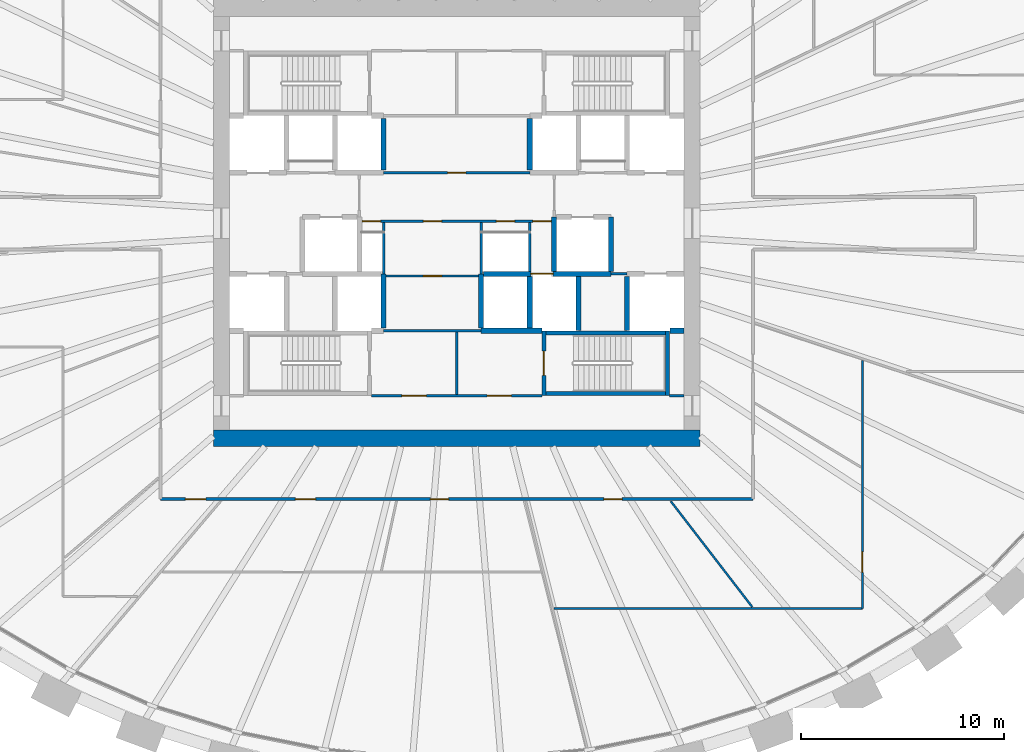
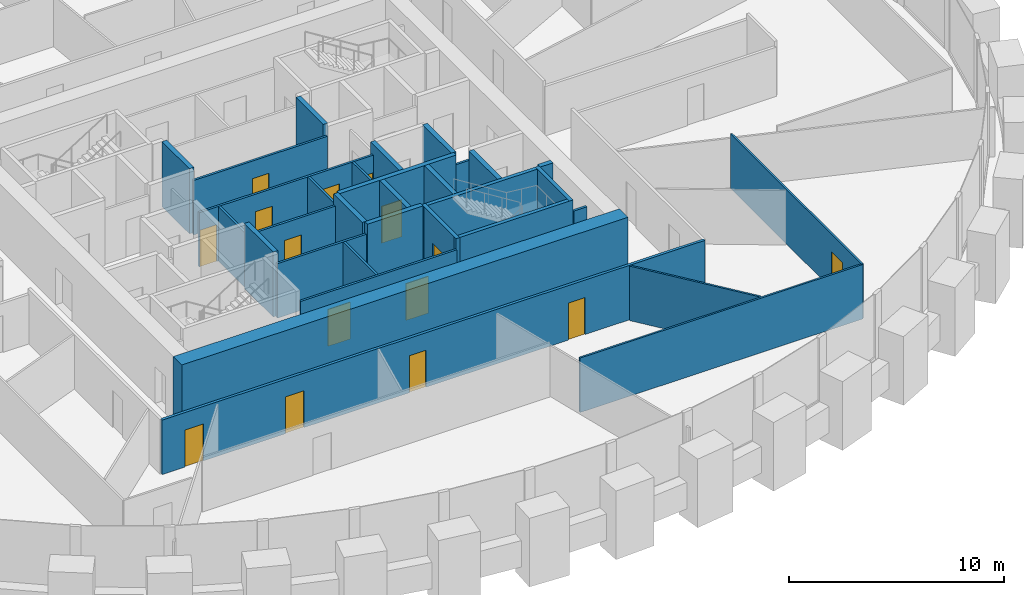
# One storey, part 7 of 11: 32 walls, 15 doors, 15 openings.
"""IFC4 building model written with IfcOpenShell, lengths in metres."""

from ifc_helpers import new_model, si_unit, direction, frame, frame_2d, origin, place, context, subcontext, project, spatial, rectangle, extrude, source, transform, mapped, material, layer, layer_set, type_object, element, fill, save


model = new_model("IFC4")

# Units and contexts
model_context = context("Model", 3, precision=1e-05, world=origin(), true_north=direction((0.0, 1.0)))
body_context = subcontext(model_context, "Body", "Model", "MODEL_VIEW")
ifc_project = project(units=[si_unit("LENGTHUNIT", "METRE"), si_unit("AREAUNIT", "SQUARE_METRE"), si_unit("VOLUMEUNIT", "CUBIC_METRE"), si_unit("PLANEANGLEUNIT", "RADIAN"), si_unit("MASSUNIT", "GRAM", prefix="KILO")], contexts=[model_context])

# Site, building, storey
site_placement = place(None, origin())
site = spatial("IfcSite", under=ifc_project, at=site_placement, CompositionType="ELEMENT")
building_placement = place(site_placement, origin())
building = spatial("IfcBuilding", under=site, at=building_placement, Name="Embergate Tower", CompositionType="ELEMENT")
storey_placement = place(building_placement, frame((0.0, 0.0, 207.300048828125)))
storey = spatial("IfcBuildingStorey", under=building, at=storey_placement, Name="L47", CompositionType="ELEMENT", Elevation=207.300048828125)

# Walls
ifc_material_1 = material(Name="Concrete C70", Category="concrete")
ifc_layer_1 = layer(ifc_material_1, 0.800048828125)
ifc_layer_set_1 = layer_set([ifc_layer_1], Name="Concrete C70")
wall_type_1 = type_object("IfcWallType", Name="Core outer wall C70 800", PredefinedType="SHEAR", material=ifc_layer_set_1)
shared_shape_1 = source(origin(), body_context, "Body", "SweptSolid", [
    extrude(rectangle(XDim=24.0, YDim=0.800048828125, at=frame_2d((12.0, 0.0))), origin(), (0.0, 0.0, 1.0), 3.89990234375),
])
wall_1_placement = place(storey_placement, frame((-12.0, -10.60009765625, -0.199951171875), z_axis=(0.0, 0.0, 1.0), x_axis=(1.0, 0.0, 0.0)))
element("IfcWall", 1, at=wall_1_placement, inside=storey, type_object=wall_type_1, Name="CW-L47-S", PredefinedType="SHEAR", context=body_context, shape_type="MappedRepresentation", body=[
    mapped(shared_shape_1, transform((0.0, 0.0, 0.0))),
])
ifc_material_2 = material(Name="Concrete C50", Category="concrete")
ifc_layer_2 = layer(ifc_material_2, 0.25)
ifc_layer_set_2 = layer_set([ifc_layer_2], Name="Concrete C50")
wall_type_2 = type_object("IfcWallType", Name="Hoistway wall reinforced concrete 250", PredefinedType="SHEAR", material=ifc_layer_set_2)
shared_shape_2 = source(origin(), body_context, "Body", "SweptSolid", [
    extrude(rectangle(XDim=2.675048828125, YDim=0.25, at=frame_2d((1.33740234375, 0.0))), origin(), (0.0, 0.0, 1.0), 3.699951171875),
])
for number, where, z_axis, x_axis, name in (
    (2, (-3.60009765625, -5.175048828125, 0.0), (0.0, 0.0, 1.0), (0.0, 1.0, 0.0), "HW-1 wall"),
    (3, (1.199951171875, -2.5, 0.0), (0.0, 0.0, 1.0), (0.0, -1.0, 0.0), "HW-1 wall"),
    (4, (4.800048828125, -2.375, 0.0), (0.0, 0.0, 1.0), (0.0, 1.0, 0.0), "HW-1 wall"),
    (5, (7.60009765625, -2.375, 0.0), (0.0, 0.0, 1.0), (0.0, 1.0, 0.0), "HW-1 wall"),
):
    element("IfcWall", number, at=place(storey_placement, frame(where, z_axis=z_axis, x_axis=x_axis)), inside=storey, type_object=wall_type_2, Name=name, PredefinedType="SHEAR", context=body_context, shape_type="MappedRepresentation", body=[
        mapped(shared_shape_2, transform((0.0, 0.0, 0.0))),
    ])
ifc_layer_3 = layer(ifc_material_2, 0.199951171875)
ifc_layer_set_3 = layer_set([ifc_layer_3], Name="Concrete C50")
wall_type_3 = type_object("IfcWallType", Name="Stair enclosure wall reinforced concrete 250", PredefinedType="SHEAR", material=ifc_layer_set_3)
shared_shape_3 = source(origin(), body_context, "Body", "SweptSolid", [
    extrude(rectangle(XDim=6.300048828125, YDim=0.199951171875, at=frame_2d((3.14990234375, 0.0))), origin(), (0.0, 0.0, 1.0), 3.699951171875),
])
for number, where, z_axis, x_axis, name in (
    (6, (4.199951171875, -5.39990234375, 0.0), (0.0, 0.0, 1.0), (1.0, 0.0, 0.0), "SE-1 wall"),
    (7, (4.199951171875, -8.39990234375, 0.0), (0.0, 0.0, 1.0), (1.0, 0.0, 0.0), "SE-1 wall"),
):
    element("IfcWall", number, at=place(storey_placement, frame(where, z_axis=z_axis, x_axis=x_axis)), inside=storey, type_object=wall_type_3, Name=name, PredefinedType="SHEAR", context=body_context, shape_type="MappedRepresentation", body=[
        mapped(shared_shape_3, transform((0.0, 0.0, 0.0))),
    ])
shared_shape_4 = source(origin(), body_context, "Body", "SweptSolid", [
    extrude(rectangle(XDim=2.550048828125, YDim=0.25, at=frame_2d((1.27490234375, 0.0))), origin(), (0.0, 0.0, 1.0), 3.699951171875),
])
for number, where, z_axis, x_axis, name in (
    (8, (-3.60009765625, 2.625, 0.0), (0.0, 0.0, 1.0), (0.0, 1.0, 0.0), "HW-1 wall"),
    (9, (3.60009765625, 5.175048828125, 0.0), (0.0, 0.0, 1.0), (0.0, -1.0, 0.0), "HW-1 wall"),
    (10, (3.60009765625, -5.175048828125, 0.0), (0.0, 0.0, 1.0), (0.0, 1.0, 0.0), "HW-1 wall"),
):
    element("IfcWall", number, at=place(storey_placement, frame(where, z_axis=z_axis, x_axis=x_axis)), inside=storey, type_object=wall_type_2, Name=name, PredefinedType="SHEAR", context=body_context, shape_type="MappedRepresentation", body=[
        mapped(shared_shape_4, transform((0.0, 0.0, 0.0))),
    ])

# Wall, opening, door
shared_shape_5 = source(origin(), body_context, "Body", "SweptSolid", [
    extrude(rectangle(XDim=3.199951171875, YDim=0.199951171875, at=frame_2d((1.60009765625, 0.0))), origin(), (0.0, 0.0, 1.0), 3.699951171875),
])
wall_2_placement = place(storey_placement, frame((4.300048828125, -5.300048828125, 0.0), z_axis=(0.0, 0.0, 1.0), x_axis=(0.0, -1.0, 0.0)))
wall_2 = element("IfcWall", 11, at=wall_2_placement, inside=storey, type_object=wall_type_3, Name="SE-1 wall", PredefinedType="SHEAR", context=body_context, shape_type="MappedRepresentation", body=[
    mapped(shared_shape_5, transform((0.0, 0.0, 0.0))),
])
shared_shape_6 = source(origin(), body_context, "Body", "SweptSolid", [
    extrude(rectangle(XDim=1.199951171875, YDim=2.10009765625, at=frame_2d((0.60009765625, 1.050048828125))), frame((0.0, 0.10986328125, 0.0), z_axis=(0.0, -1.0, 0.0), x_axis=(1.0, 0.0, 0.0)), (0.0, 0.0, 1.0), 0.219970703125),
])
opening_1_placement = place(wall_2_placement, frame((1.0, 0.0, 0.0)))
opening_1 = element("IfcOpeningElement", 12, at=opening_1_placement, cuts=wall_2, Name="Opening IF-2", PredefinedType="OPENING", context=body_context, shape_type="MappedRepresentation", body=[
    mapped(shared_shape_6, transform((0.0, 0.0, 0.0))),
])
ifc_material_3 = material(Name="Stair enclosure door 1200")
door_type_1 = type_object("IfcDoorType", Name="Stair enclosure door 1200", OperationType="SINGLE_SWING_LEFT", PredefinedType="DOOR", material=ifc_material_3)
shared_shape_7 = source(origin(), body_context, "Body", "SweptSolid", [
    extrude(rectangle(XDim=1.199951171875, YDim=2.10009765625, at=frame_2d((0.60009765625, 1.050048828125))), frame((0.0, 0.02490234375, 0.0), z_axis=(0.0, -1.0, 0.0), x_axis=(1.0, 0.0, 0.0)), (0.0, 0.0, 1.0), 0.050048828125),
])
door_1_placement = place(opening_1_placement, origin())
door_1 = element("IfcDoor", 13, at=door_1_placement, inside=storey, type_object=door_type_1, Name="IF-2 door", OperationType="SINGLE_SWING_RIGHT", OverallHeight=2.10009765625, OverallWidth=1.199951171875, PredefinedType="DOOR", context=body_context, shape_type="MappedRepresentation", body=[
    mapped(shared_shape_7, transform((0.0, 0.0, 0.0))),
])
fill(opening_1, door_1)

# Wall, openings, doors
ifc_material_4 = material(Name="Core partition blockwork 120")
ifc_layer_4 = layer(ifc_material_4, 0.1201171875)
ifc_layer_set_4 = layer_set([ifc_layer_4], Name="Core partition blockwork 120")
wall_type_4 = type_object("IfcWallType", Name="Core partition blockwork 120", PredefinedType="PARTITIONING", material=ifc_layer_set_4)
shared_shape_8 = source(origin(), body_context, "Body", "SweptSolid", [
    extrude(rectangle(XDim=8.39990234375, YDim=0.1201171875, at=frame_2d((4.199951171875, 0.0))), origin(), (0.0, 0.0, 1.0), 3.099853515625),
])
wall_3_placement = place(storey_placement, frame((-4.199951171875, -8.5, 0.0), z_axis=(0.0, 0.0, 1.0), x_axis=(1.0, 0.0, 0.0)))
wall_3 = element("IfcWall", 14, at=wall_3_placement, inside=storey, type_object=wall_type_4, Name="IP-3 wall", PredefinedType="PARTITIONING", context=body_context, shape_type="MappedRepresentation", body=[
    mapped(shared_shape_8, transform((0.0, 0.0, 0.0))),
])
shared_shape_9 = source(origin(), body_context, "Body", "SweptSolid", [
    extrude(rectangle(XDim=1.199951171875, YDim=2.10009765625, at=frame_2d((0.60009765625, 1.050048828125))), frame((0.0, 0.070068359375, 0.0), z_axis=(0.0, -1.0, 0.0), x_axis=(1.0, 0.0, 0.0)), (0.0, 0.0, 1.0), 0.14013671875),
])
opening_2_placement = place(wall_3_placement, frame((1.5, 0.0, 0.0)))
opening_2 = element("IfcOpeningElement", 15, at=opening_2_placement, cuts=wall_3, Name="Opening IF-3f", PredefinedType="OPENING", context=body_context, shape_type="MappedRepresentation", body=[
    mapped(shared_shape_9, transform((0.0, 0.0, 0.0))),
])
opening_3_placement = place(wall_3_placement, frame((5.699951171875, 0.0, 0.0)))
opening_3 = element("IfcOpeningElement", 16, at=opening_3_placement, cuts=wall_3, Name="Opening IF-3f", PredefinedType="OPENING", context=body_context, shape_type="MappedRepresentation", body=[
    mapped(shared_shape_9, transform((0.0, 0.0, 0.0))),
])
ifc_material_5 = material(Name="Lobby fire door pair 1200")
door_type_2 = type_object("IfcDoorType", Name="Lobby fire door pair 1200", OperationType="DOUBLE_DOOR_SINGLE_SWING", PredefinedType="DOOR", material=ifc_material_5)
door_2_placement = place(opening_2_placement, origin())
door_2 = element("IfcDoor", 17, at=door_2_placement, inside=storey, type_object=door_type_2, Name="IF-3 door", OperationType="DOUBLE_DOOR_SINGLE_SWING", OverallHeight=2.10009765625, OverallWidth=1.199951171875, PredefinedType="DOOR", context=body_context, shape_type="MappedRepresentation", body=[
    mapped(shared_shape_7, transform((0.0, 0.0, 0.0))),
])
fill(opening_2, door_2)
door_3_placement = place(opening_3_placement, origin())
door_3 = element("IfcDoor", 18, at=door_3_placement, inside=storey, type_object=door_type_2, Name="IF-3 door", OperationType="DOUBLE_DOOR_SINGLE_SWING", OverallHeight=2.10009765625, OverallWidth=1.199951171875, PredefinedType="DOOR", context=body_context, shape_type="MappedRepresentation", body=[
    mapped(shared_shape_7, transform((0.0, 0.0, 0.0))),
])
fill(opening_3, door_3)

# Wall, opening, door
shared_shape_10 = source(origin(), body_context, "Body", "SweptSolid", [
    extrude(rectangle(XDim=6.27294921875, YDim=0.25, at=frame_2d((3.136474609375, 0.0))), origin(), (0.0, 0.0, 1.0), 3.699951171875),
])
wall_4_placement = place(storey_placement, frame((7.597900390625, -2.5, 0.0), z_axis=(0.0, 0.0, 1.0), x_axis=(-1.0, 0.0, 0.0)))
wall_4 = element("IfcWall", 19, at=wall_4_placement, inside=storey, type_object=wall_type_2, Name="HW-1 wall", PredefinedType="SHEAR", context=body_context, shape_type="MappedRepresentation", body=[
    mapped(shared_shape_10, transform((0.0, 0.0, 0.0))),
])
shared_shape_11 = source(origin(), body_context, "Body", "SweptSolid", [
    extrude(rectangle(XDim=1.10009765625, YDim=2.10009765625, at=frame_2d((0.550048828125, 1.050048828125))), frame((0.0, 0.135009765625, 0.0), z_axis=(0.0, -1.0, 0.0), x_axis=(1.0, 0.0, 0.0)), (0.0, 0.0, 1.0), 0.27001953125),
])
opening_4_placement = place(wall_4_placement, frame((2.847900390625, 0.0, 0.0)))
opening_4 = element("IfcOpeningElement", 20, at=opening_4_placement, cuts=wall_4, Name="Opening LD", PredefinedType="OPENING", context=body_context, shape_type="MappedRepresentation", body=[
    mapped(shared_shape_11, transform((0.0, 0.0, 0.0))),
])
ifc_material_6 = material(Name="Landing door sliding 1100")
door_type_3 = type_object("IfcDoorType", Name="Landing door sliding 1100", OperationType="SLIDING_TO_LEFT", PredefinedType="DOOR", material=ifc_material_6)
shared_shape_12 = source(origin(), body_context, "Body", "SweptSolid", [
    extrude(rectangle(XDim=1.10009765625, YDim=2.10009765625, at=frame_2d((0.550048828125, 1.050048828125))), frame((0.0, 0.02490234375, 0.0), z_axis=(0.0, -1.0, 0.0), x_axis=(1.0, 0.0, 0.0)), (0.0, 0.0, 1.0), 0.050048828125),
])
door_4_placement = place(opening_4_placement, origin())
door_4 = element("IfcDoor", 21, at=door_4_placement, inside=storey, type_object=door_type_3, Name="LD door", OperationType="SLIDING_TO_LEFT", OverallHeight=2.10009765625, OverallWidth=1.10009765625, PredefinedType="DOOR", context=body_context, shape_type="MappedRepresentation", body=[
    mapped(shared_shape_12, transform((0.0, 0.0, 0.0))),
])
fill(opening_4, door_4)

# Walls
shared_shape_13 = source(origin(), body_context, "Body", "SweptSolid", [
    extrude(rectangle(XDim=3.0, YDim=0.25, at=frame_2d((1.5, 0.0))), origin(), (0.0, 0.0, 1.0), 3.699951171875),
])
wall_5_placement = place(storey_placement, frame((1.199951171875, -5.300048828125, 0.0), z_axis=(0.0, 0.0, 1.0), x_axis=(1.0, 0.0, 0.0)))
element("IfcWall", 22, at=wall_5_placement, inside=storey, type_object=wall_type_2, Name="HW-1 wall", PredefinedType="SHEAR", context=body_context, shape_type="MappedRepresentation", body=[
    mapped(shared_shape_13, transform((0.0, 0.0, 0.0))),
])
shared_shape_14 = source(origin(), body_context, "Body", "SweptSolid", [
    extrude(rectangle(XDim=3.196044921875, YDim=0.199951171875, at=frame_2d((1.59814453125, 0.0))), origin(), (0.0, 0.0, 1.0), 3.699951171875),
])
wall_6_placement = place(storey_placement, frame((10.39990234375, -8.498046875, 0.0), z_axis=(0.0, 0.0, 1.0), x_axis=(0.0, 1.0, 0.0)))
element("IfcWall", 23, at=wall_6_placement, inside=storey, type_object=wall_type_3, Name="SE-1 wall", PredefinedType="SHEAR", context=body_context, shape_type="MappedRepresentation", body=[
    mapped(shared_shape_14, transform((0.0, 0.0, 0.0))),
])
shared_shape_15 = source(origin(), body_context, "Body", "SweptSolid", [
    extrude(rectangle(XDim=0.697998046875, YDim=0.25, at=frame_2d((0.34912109375, 0.0))), origin(), (0.0, 0.0, 1.0), 3.699951171875),
])
wall_7_placement = place(storey_placement, frame((10.501953125, -5.300048828125, 0.0), z_axis=(0.0, 0.0, 1.0), x_axis=(1.0, 0.0, 0.0)))
element("IfcWall", 24, at=wall_7_placement, inside=storey, type_object=wall_type_2, Name="HW-1 wall", PredefinedType="SHEAR", context=body_context, shape_type="MappedRepresentation", body=[
    mapped(shared_shape_15, transform((0.0, 0.0, 0.0))),
])
shared_shape_16 = source(origin(), body_context, "Body", "SweptSolid", [
    extrude(rectangle(XDim=2.671142578125, YDim=0.25, at=frame_2d((1.33544921875, 0.0))), origin(), (0.0, 0.0, 1.0), 3.699951171875),
])
for number, where, z_axis, x_axis, name in (
    (25, (6.0, -5.298095703125, 0.0), (0.0, 0.0, 1.0), (0.0, 1.0, 0.0), "HW-1 wall"),
    (26, (8.39990234375, -2.626953125, 0.0), (0.0, 0.0, 1.0), (0.0, -1.0, 0.0), "HW-1 wall"),
):
    element("IfcWall", number, at=place(storey_placement, frame(where, z_axis=z_axis, x_axis=x_axis)), inside=storey, type_object=wall_type_2, Name=name, PredefinedType="SHEAR", context=body_context, shape_type="MappedRepresentation", body=[
        mapped(shared_shape_16, transform((0.0, 0.0, 0.0))),
    ])

# Wall, openings, doors
shared_shape_17 = source(origin(), body_context, "Body", "SweptSolid", [
    extrude(rectangle(XDim=9.35009765625, YDim=0.1201171875, at=frame_2d((4.675048828125, 0.0))), origin(), (0.0, 0.0, 1.0), 3.099853515625),
])
wall_8_placement = place(storey_placement, frame((-4.675048828125, 0.10009765625, 0.0), z_axis=(0.0, 0.0, 1.0), x_axis=(1.0, 0.0, 0.0)))
wall_8 = element("IfcWall", 27, at=wall_8_placement, inside=storey, type_object=wall_type_4, Name="IP-3 wall", PredefinedType="PARTITIONING", context=body_context, shape_type="MappedRepresentation", body=[
    mapped(shared_shape_17, transform((0.0, 0.0, 0.0))),
])
shared_shape_18 = source(origin(), body_context, "Body", "SweptSolid", [
    extrude(rectangle(XDim=0.89990234375, YDim=2.10009765625, at=frame_2d((0.449951171875, 1.050048828125))), frame((0.0, 0.070068359375, 0.0), z_axis=(0.0, -1.0, 0.0), x_axis=(1.0, 0.0, 0.0)), (0.0, 0.0, 1.0), 0.14013671875),
])
opening_5_placement = place(wall_8_placement, frame((8.425048828125, 0.0, 0.0)))
opening_5 = element("IfcOpeningElement", 28, at=opening_5_placement, cuts=wall_8, Name="Opening IF-3c", PredefinedType="OPENING", context=body_context, shape_type="MappedRepresentation", body=[
    mapped(shared_shape_18, transform((0.0, 0.0, 0.0))),
])
opening_6_placement = place(wall_8_placement, frame((0.02490234375, 0.0, 0.0)))
opening_6 = element("IfcOpeningElement", 29, at=opening_6_placement, cuts=wall_8, Name="Opening ID-1", PredefinedType="OPENING", context=body_context, shape_type="MappedRepresentation", body=[
    mapped(shared_shape_18, transform((0.0, 0.0, 0.0))),
])
opening_7_placement = place(wall_8_placement, frame((6.625, 0.0, 0.0)))
opening_7 = element("IfcOpeningElement", 30, at=opening_7_placement, cuts=wall_8, Name="Opening ID-1", PredefinedType="OPENING", context=body_context, shape_type="MappedRepresentation", body=[
    mapped(shared_shape_18, transform((0.0, 0.0, 0.0))),
])
opening_8_placement = place(wall_8_placement, frame((3.02490234375, 0.0, 0.0)))
opening_8 = element("IfcOpeningElement", 31, at=opening_8_placement, cuts=wall_8, Name="Opening ID-1", PredefinedType="OPENING", context=body_context, shape_type="MappedRepresentation", body=[
    mapped(shared_shape_18, transform((0.0, 0.0, 0.0))),
])
ifc_material_7 = material(Name="Lobby fire door pair 900")
door_type_4 = type_object("IfcDoorType", Name="Lobby fire door pair 900", OperationType="DOUBLE_DOOR_SINGLE_SWING", PredefinedType="DOOR", material=ifc_material_7)
shared_shape_19 = source(origin(), body_context, "Body", "SweptSolid", [
    extrude(rectangle(XDim=0.89990234375, YDim=2.10009765625, at=frame_2d((0.449951171875, 1.050048828125))), frame((0.0, 0.02490234375, 0.0), z_axis=(0.0, -1.0, 0.0), x_axis=(1.0, 0.0, 0.0)), (0.0, 0.0, 1.0), 0.050048828125),
])
door_5_placement = place(opening_5_placement, origin())
door_5 = element("IfcDoor", 32, at=door_5_placement, inside=storey, type_object=door_type_4, Name="IF-3 door", OperationType="DOUBLE_DOOR_SINGLE_SWING", OverallHeight=2.10009765625, OverallWidth=0.89990234375, PredefinedType="DOOR", context=body_context, shape_type="MappedRepresentation", body=[
    mapped(shared_shape_19, transform((0.0, 0.0, 0.0))),
])
fill(opening_5, door_5)
ifc_material_8 = material(Name="Interior door 900")
door_type_5 = type_object("IfcDoorType", Name="Interior door 900", OperationType="SINGLE_SWING_LEFT", PredefinedType="DOOR", material=ifc_material_8)
door_6_placement = place(opening_6_placement, origin())
door_6 = element("IfcDoor", 33, at=door_6_placement, inside=storey, type_object=door_type_5, Name="ID-1 door", OperationType="SINGLE_SWING_RIGHT", OverallHeight=2.10009765625, OverallWidth=0.89990234375, PredefinedType="DOOR", context=body_context, shape_type="MappedRepresentation", body=[
    mapped(shared_shape_19, transform((0.0, 0.0, 0.0))),
])
fill(opening_6, door_6)
door_7_placement = place(opening_7_placement, origin())
door_7 = element("IfcDoor", 34, at=door_7_placement, inside=storey, type_object=door_type_5, Name="ID-1 door", OperationType="SINGLE_SWING_RIGHT", OverallHeight=2.10009765625, OverallWidth=0.89990234375, PredefinedType="DOOR", context=body_context, shape_type="MappedRepresentation", body=[
    mapped(shared_shape_19, transform((0.0, 0.0, 0.0))),
])
fill(opening_7, door_7)
door_8_placement = place(opening_8_placement, origin())
door_8 = element("IfcDoor", 35, at=door_8_placement, inside=storey, type_object=door_type_5, Name="ID-1 door", OperationType="SINGLE_SWING_LEFT", OverallHeight=2.10009765625, OverallWidth=0.89990234375, PredefinedType="DOOR", context=body_context, shape_type="MappedRepresentation", body=[
    mapped(shared_shape_19, transform((0.0, 0.0, 0.0))),
])
fill(opening_8, door_8)

# Wall, opening, door
shared_shape_20 = source(origin(), body_context, "Body", "SweptSolid", [
    extrude(rectangle(XDim=7.2001953125, YDim=0.1201171875, at=frame_2d((3.60009765625, 0.0))), origin(), (0.0, 0.0, 1.0), 3.099853515625),
])
wall_9_placement = place(storey_placement, frame((3.60009765625, 2.5, 0.0), z_axis=(0.0, 0.0, 1.0), x_axis=(-1.0, 0.0, 0.0)))
wall_9 = element("IfcWall", 36, at=wall_9_placement, inside=storey, type_object=wall_type_4, Name="IP-3 wall", PredefinedType="PARTITIONING", context=body_context, shape_type="MappedRepresentation", body=[
    mapped(shared_shape_20, transform((0.0, 0.0, 0.0))),
])
opening_9_placement = place(wall_9_placement, frame((3.14990234375, 0.0, 0.0)))
opening_9 = element("IfcOpeningElement", 37, at=opening_9_placement, cuts=wall_9, Name="Opening ID-1", PredefinedType="OPENING", context=body_context, shape_type="MappedRepresentation", body=[
    mapped(shared_shape_18, transform((0.0, 0.0, 0.0))),
])
door_9_placement = place(opening_9_placement, origin())
door_9 = element("IfcDoor", 38, at=door_9_placement, inside=storey, type_object=door_type_5, Name="ID-1 door", OperationType="SINGLE_SWING_RIGHT", OverallHeight=2.10009765625, OverallWidth=0.89990234375, PredefinedType="DOOR", context=body_context, shape_type="MappedRepresentation", body=[
    mapped(shared_shape_19, transform((0.0, 0.0, 0.0))),
])
fill(opening_9, door_9)

# Walls
shared_shape_21 = source(origin(), body_context, "Body", "SweptSolid", [
    extrude(rectangle(XDim=2.5400390625, YDim=0.1201171875, at=frame_2d((1.27001953125, 0.0))), origin(), (0.0, 0.0, 1.0), 3.099853515625),
])
for number, where, z_axis, x_axis, name in (
    (39, (-3.60009765625, -2.5, 0.0), (0.0, 0.0, 1.0), (0.0, 1.0, 0.0), "IP-3 wall"),
    (40, (1.199951171875, 0.0400390625, 0.0), (0.0, 0.0, 1.0), (0.0, -1.0, 0.0), "IP-3 wall"),
):
    element("IfcWall", number, at=place(storey_placement, frame(where, z_axis=z_axis, x_axis=x_axis)), inside=storey, type_object=wall_type_4, Name=name, PredefinedType="PARTITIONING", context=body_context, shape_type="MappedRepresentation", body=[
        mapped(shared_shape_21, transform((0.0, 0.0, 0.0))),
    ])
shared_shape_22 = source(origin(), body_context, "Body", "SweptSolid", [
    extrude(rectangle(XDim=2.4150390625, YDim=0.1201171875, at=frame_2d((1.20751953125, 0.0))), origin(), (0.0, 0.0, 1.0), 3.099853515625),
])
wall_10_placement = place(storey_placement, frame((3.60009765625, -2.375, 0.0), z_axis=(0.0, 0.0, 1.0), x_axis=(0.0, 1.0, 0.0)))
element("IfcWall", 41, at=wall_10_placement, inside=storey, type_object=wall_type_4, Name="IP-3 wall", PredefinedType="PARTITIONING", context=body_context, shape_type="MappedRepresentation", body=[
    mapped(shared_shape_22, transform((0.0, 0.0, 0.0))),
])
shared_shape_23 = source(origin(), body_context, "Body", "SweptSolid", [
    extrude(rectangle(XDim=3.079833984375, YDim=0.1201171875, at=frame_2d((1.5400390625, 0.0))), origin(), (0.0, 0.0, 1.0), 3.099853515625),
])
wall_11_placement = place(storey_placement, frame((0.0, -8.43994140625, 0.0), z_axis=(0.0, 0.0, 1.0), x_axis=(0.0, 1.0, 0.0)))
element("IfcWall", 42, at=wall_11_placement, inside=storey, type_object=wall_type_4, Name="IP-3 wall", PredefinedType="PARTITIONING", context=body_context, shape_type="MappedRepresentation", body=[
    mapped(shared_shape_23, transform((0.0, 0.0, 0.0))),
])
shared_shape_24 = source(origin(), body_context, "Body", "SweptSolid", [
    extrude(rectangle(XDim=4.800048828125, YDim=0.1201171875, at=frame_2d((2.39990234375, 0.0))), origin(), (0.0, 0.0, 1.0), 3.099853515625),
])
wall_12_placement = place(storey_placement, frame((1.199951171875, -5.300048828125, 0.0), z_axis=(0.0, 0.0, 1.0), x_axis=(-1.0, 0.0, 0.0)))
element("IfcWall", 43, at=wall_12_placement, inside=storey, type_object=wall_type_4, Name="IP-3 wall", PredefinedType="PARTITIONING", context=body_context, shape_type="MappedRepresentation", body=[
    mapped(shared_shape_24, transform((0.0, 0.0, 0.0))),
])
shared_shape_25 = source(origin(), body_context, "Body", "SweptSolid", [
    extrude(rectangle(XDim=0.7958984375, YDim=0.1201171875, at=frame_2d((0.39794921875, 0.0))), origin(), (0.0, 0.0, 1.0), 3.099853515625),
])
wall_13_placement = place(storey_placement, frame((7.60205078125, -2.5, 0.0), z_axis=(0.0, 0.0, 1.0), x_axis=(1.0, 0.0, 0.0)))
element("IfcWall", 44, at=wall_13_placement, inside=storey, type_object=wall_type_4, Name="IP-3 wall", PredefinedType="PARTITIONING", context=body_context, shape_type="MappedRepresentation", body=[
    mapped(shared_shape_25, transform((0.0, 0.0, 0.0))),
])
shared_shape_26 = source(origin(), body_context, "Body", "SweptSolid", [
    extrude(rectangle(XDim=0.697998046875, YDim=0.1201171875, at=frame_2d((0.34912109375, 0.0))), origin(), (0.0, 0.0, 1.0), 3.099853515625),
])
wall_14_placement = place(storey_placement, frame((11.199951171875, -8.5, 0.0), z_axis=(0.0, 0.0, 1.0), x_axis=(-1.0, 0.0, 0.0)))
element("IfcWall", 45, at=wall_14_placement, inside=storey, type_object=wall_type_4, Name="IP-3 wall", PredefinedType="PARTITIONING", context=body_context, shape_type="MappedRepresentation", body=[
    mapped(shared_shape_26, transform((0.0, 0.0, 0.0))),
])

# Wall, opening, door
shared_shape_27 = source(origin(), body_context, "Body", "SweptSolid", [
    extrude(rectangle(XDim=4.550048828125, YDim=0.1201171875, at=frame_2d((2.27490234375, 0.0))), origin(), (0.0, 0.0, 1.0), 3.099853515625),
])
wall_15_placement = place(storey_placement, frame((1.074951171875, -2.60009765625, 0.0), z_axis=(0.0, 0.0, 1.0), x_axis=(-1.0, 0.0, 0.0)))
wall_15 = element("IfcWall", 46, at=wall_15_placement, inside=storey, type_object=wall_type_4, Name="IP-3 wall", PredefinedType="PARTITIONING", context=body_context, shape_type="MappedRepresentation", body=[
    mapped(shared_shape_27, transform((0.0, 0.0, 0.0))),
])
opening_10_placement = place(wall_15_placement, frame((1.824951171875, 0.0, 0.0)))
opening_10 = element("IfcOpeningElement", 47, at=opening_10_placement, cuts=wall_15, Name="Opening ID-1", PredefinedType="OPENING", context=body_context, shape_type="MappedRepresentation", body=[
    mapped(shared_shape_18, transform((0.0, 0.0, 0.0))),
])
door_10_placement = place(opening_10_placement, origin())
door_10 = element("IfcDoor", 48, at=door_10_placement, inside=storey, type_object=door_type_5, Name="ID-1 door", OperationType="SINGLE_SWING_LEFT", OverallHeight=2.10009765625, OverallWidth=0.89990234375, PredefinedType="DOOR", context=body_context, shape_type="MappedRepresentation", body=[
    mapped(shared_shape_19, transform((0.0, 0.0, 0.0))),
])
fill(opening_10, door_10)

# Wall, openings, doors
ifc_material_9 = material(Name="Corridor wall dry-lined 150")
ifc_layer_5 = layer(ifc_material_9, 0.14990234375)
ifc_layer_set_5 = layer_set([ifc_layer_5], Name="Corridor wall dry-lined 150")
wall_type_5 = type_object("IfcWallType", Name="Corridor wall dry-lined 150", PredefinedType="PARTITIONING", material=ifc_layer_set_5)
shared_shape_28 = source(origin(), body_context, "Body", "SweptSolid", [
    extrude(rectangle(XDim=29.2001953125, YDim=0.14990234375, at=frame_2d((14.60009765625, 0.0))), origin(), (0.0, 0.0, 1.0), 3.099853515625),
])
wall_16_placement = place(storey_placement, frame((14.60009765625, -13.60009765625, 0.0), z_axis=(0.0, 0.0, 1.0), x_axis=(-1.0, 0.0, 0.0)))
wall_16 = element("IfcWall", 49, at=wall_16_placement, inside=storey, type_object=wall_type_5, Name="IP-2 wall", PredefinedType="PARTITIONING", context=body_context, shape_type="MappedRepresentation", body=[
    mapped(shared_shape_28, transform((0.0, 0.0, 0.0))),
])
shared_shape_29 = source(origin(), body_context, "Body", "SweptSolid", [
    extrude(rectangle(XDim=1.0, YDim=2.10009765625, at=frame_2d((0.5, 1.050048828125))), frame((0.0, 0.0849609375, 0.0), z_axis=(0.0, -1.0, 0.0), x_axis=(1.0, 0.0, 0.0)), (0.0, 0.0, 1.0), 0.169921875),
])
opening_11_placement = place(wall_16_placement, frame((26.972900390625, 0.0, 0.0)))
opening_11 = element("IfcOpeningElement", 50, at=opening_11_placement, cuts=wall_16, Name="Opening ID-2", PredefinedType="OPENING", context=body_context, shape_type="MappedRepresentation", body=[
    mapped(shared_shape_29, transform((0.0, 0.0, 0.0))),
])
opening_12_placement = place(wall_16_placement, frame((21.56005859375, 0.0, 0.0)))
opening_12 = element("IfcOpeningElement", 51, at=opening_12_placement, cuts=wall_16, Name="Opening ID-2", PredefinedType="OPENING", context=body_context, shape_type="MappedRepresentation", body=[
    mapped(shared_shape_29, transform((0.0, 0.0, 0.0))),
])
shared_shape_30 = source(origin(), body_context, "Body", "SweptSolid", [
    extrude(rectangle(XDim=0.89990234375, YDim=2.10009765625, at=frame_2d((0.449951171875, 1.050048828125))), frame((0.0, 0.0849609375, 0.0), z_axis=(0.0, -1.0, 0.0), x_axis=(1.0, 0.0, 0.0)), (0.0, 0.0, 1.0), 0.169921875),
])
opening_13_placement = place(wall_16_placement, frame((14.9970703125, 0.0, 0.0)))
opening_13 = element("IfcOpeningElement", 52, at=opening_13_placement, cuts=wall_16, Name="Opening IF-1c", PredefinedType="OPENING", context=body_context, shape_type="MappedRepresentation", body=[
    mapped(shared_shape_30, transform((0.0, 0.0, 0.0))),
])
opening_14_placement = place(wall_16_placement, frame((6.44091796875, 0.0, 0.0)))
opening_14 = element("IfcOpeningElement", 53, at=opening_14_placement, cuts=wall_16, Name="Opening IF-1c", PredefinedType="OPENING", context=body_context, shape_type="MappedRepresentation", body=[
    mapped(shared_shape_30, transform((0.0, 0.0, 0.0))),
])
ifc_material_10 = material(Name="Escape fire door 900")
door_type_6 = type_object("IfcDoorType", Name="Escape fire door 900", OperationType="SINGLE_SWING_LEFT", PredefinedType="DOOR", material=ifc_material_10)
door_11_placement = place(opening_13_placement, origin())
door_11 = element("IfcDoor", 54, at=door_11_placement, inside=storey, type_object=door_type_6, Name="IF-1 door", OperationType="SINGLE_SWING_RIGHT", OverallHeight=2.10009765625, OverallWidth=0.89990234375, PredefinedType="DOOR", context=body_context, shape_type="MappedRepresentation", body=[
    mapped(shared_shape_19, transform((0.0, 0.0, 0.0))),
])
fill(opening_13, door_11)
door_12_placement = place(opening_14_placement, origin())
door_12 = element("IfcDoor", 55, at=door_12_placement, inside=storey, type_object=door_type_6, Name="IF-1 door", OperationType="SINGLE_SWING_LEFT", OverallHeight=2.10009765625, OverallWidth=0.89990234375, PredefinedType="DOOR", context=body_context, shape_type="MappedRepresentation", body=[
    mapped(shared_shape_19, transform((0.0, 0.0, 0.0))),
])
fill(opening_14, door_12)
ifc_material_11 = material(Name="Interior door 1000")
door_type_7 = type_object("IfcDoorType", Name="Interior door 1000", OperationType="SINGLE_SWING_LEFT", PredefinedType="DOOR", material=ifc_material_11)
shared_shape_31 = source(origin(), body_context, "Body", "SweptSolid", [
    extrude(rectangle(XDim=1.0, YDim=2.10009765625, at=frame_2d((0.5, 1.050048828125))), frame((0.0, 0.02490234375, 0.0), z_axis=(0.0, -1.0, 0.0), x_axis=(1.0, 0.0, 0.0)), (0.0, 0.0, 1.0), 0.050048828125),
])
door_13_placement = place(opening_11_placement, origin())
door_13 = element("IfcDoor", 56, at=door_13_placement, inside=storey, type_object=door_type_7, Name="ID-2 door", OperationType="SINGLE_SWING_LEFT", OverallHeight=2.10009765625, OverallWidth=1.0, PredefinedType="DOOR", context=body_context, shape_type="MappedRepresentation", body=[
    mapped(shared_shape_31, transform((0.0, 0.0, 0.0))),
])
fill(opening_11, door_13)
door_14_placement = place(opening_12_placement, origin())
door_14 = element("IfcDoor", 57, at=door_14_placement, inside=storey, type_object=door_type_7, Name="ID-2 door", OperationType="SINGLE_SWING_RIGHT", OverallHeight=2.10009765625, OverallWidth=1.0, PredefinedType="DOOR", context=body_context, shape_type="MappedRepresentation", body=[
    mapped(shared_shape_31, transform((0.0, 0.0, 0.0))),
])
fill(opening_12, door_14)

# Walls
ifc_material_12 = material(Name="Partition dry-lined 100")
ifc_layer_6 = layer(ifc_material_12, 0.10009765625)
ifc_layer_set_6 = layer_set([ifc_layer_6], Name="Partition dry-lined 100")
wall_type_6 = type_object("IfcWallType", Name="Partition dry-lined 100", PredefinedType="PARTITIONING", material=ifc_layer_set_6)
shared_shape_32 = source(origin(), body_context, "Body", "SweptSolid", [
    extrude(rectangle(XDim=6.579833984375, YDim=0.10009765625, at=frame_2d((3.2900390625, 0.0))), origin(), (0.0, 0.0, 1.0), 3.099853515625),
])
wall_17_placement = place(storey_placement, frame((10.554931640625, -13.7060546875, 0.0), z_axis=(0.0, 0.0, 1.0), x_axis=(0.610209127783, -0.792240380422, 0.0)))
element("IfcWall", 58, at=wall_17_placement, inside=storey, type_object=wall_type_6, Name="IP-1 wall", PredefinedType="PARTITIONING", context=body_context, shape_type="MappedRepresentation", body=[
    mapped(shared_shape_32, transform((0.0, 0.0, 0.0))),
])
shared_shape_33 = source(origin(), body_context, "Body", "SweptSolid", [
    extrude(rectangle(XDim=15.216064453125, YDim=0.10009765625, at=frame_2d((7.60791015625, 0.0))), origin(), (0.0, 0.0, 1.0), 3.099853515625),
])
wall_18_placement = place(storey_placement, frame((20.0, -19.0, 0.0), z_axis=(0.0, 0.0, 1.0), x_axis=(-1.0, 0.0, 0.0)))
element("IfcWall", 59, at=wall_18_placement, inside=storey, type_object=wall_type_6, Name="IP-1 wall", PredefinedType="PARTITIONING", context=body_context, shape_type="MappedRepresentation", body=[
    mapped(shared_shape_33, transform((0.0, 0.0, 0.0))),
])

# Wall, opening, door
shared_shape_34 = source(origin(), body_context, "Body", "SweptSolid", [
    extrude(rectangle(XDim=12.23095703125, YDim=0.10009765625, at=frame_2d((6.115478515625, 0.0))), origin(), (0.0, 0.0, 1.0), 3.099853515625),
])
wall_19_placement = place(storey_placement, frame((20.0, -6.76904296875, 0.0), z_axis=(0.0, 0.0, 1.0), x_axis=(0.0, -1.0, 0.0)))
wall_19 = element("IfcWall", 60, at=wall_19_placement, inside=storey, type_object=wall_type_6, Name="IP-1 wall", PredefinedType="PARTITIONING", context=body_context, shape_type="MappedRepresentation", body=[
    mapped(shared_shape_34, transform((0.0, 0.0, 0.0))),
])
shared_shape_35 = source(origin(), body_context, "Body", "SweptSolid", [
    extrude(rectangle(XDim=1.0, YDim=2.10009765625, at=frame_2d((0.5, 1.050048828125))), frame((0.0, 0.06005859375, 0.0), z_axis=(0.0, -1.0, 0.0), x_axis=(1.0, 0.0, 0.0)), (0.0, 0.0, 1.0), 0.1201171875),
])
opening_15_placement = place(wall_19_placement, frame((9.4365234375, 0.0, 0.0)))
opening_15 = element("IfcOpeningElement", 61, at=opening_15_placement, cuts=wall_19, Name="Opening ID-2", PredefinedType="OPENING", context=body_context, shape_type="MappedRepresentation", body=[
    mapped(shared_shape_35, transform((0.0, 0.0, 0.0))),
])
door_15_placement = place(opening_15_placement, origin())
door_15 = element("IfcDoor", 62, at=door_15_placement, inside=storey, type_object=door_type_7, Name="ID-2 door", OperationType="SINGLE_SWING_RIGHT", OverallHeight=2.10009765625, OverallWidth=1.0, PredefinedType="DOOR", context=body_context, shape_type="MappedRepresentation", body=[
    mapped(shared_shape_31, transform((0.0, 0.0, 0.0))),
])
fill(opening_15, door_15)

save(model, "model.ifc")
